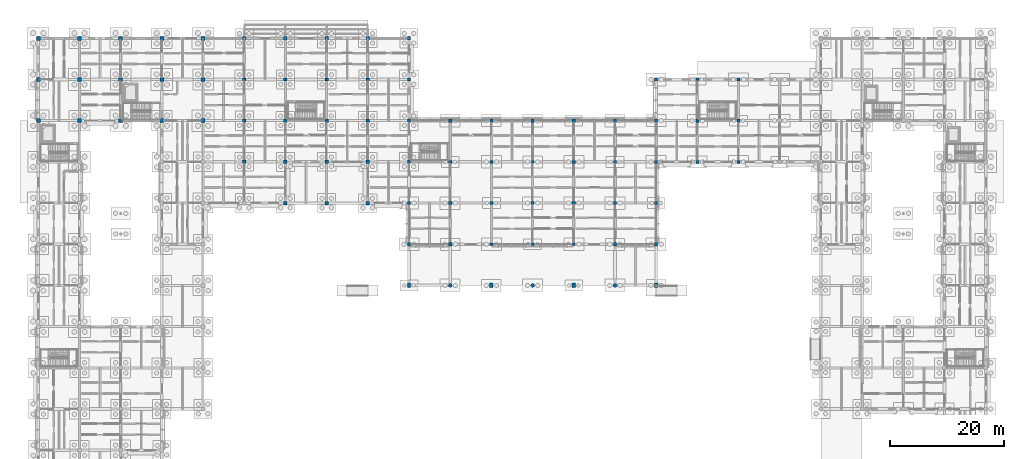
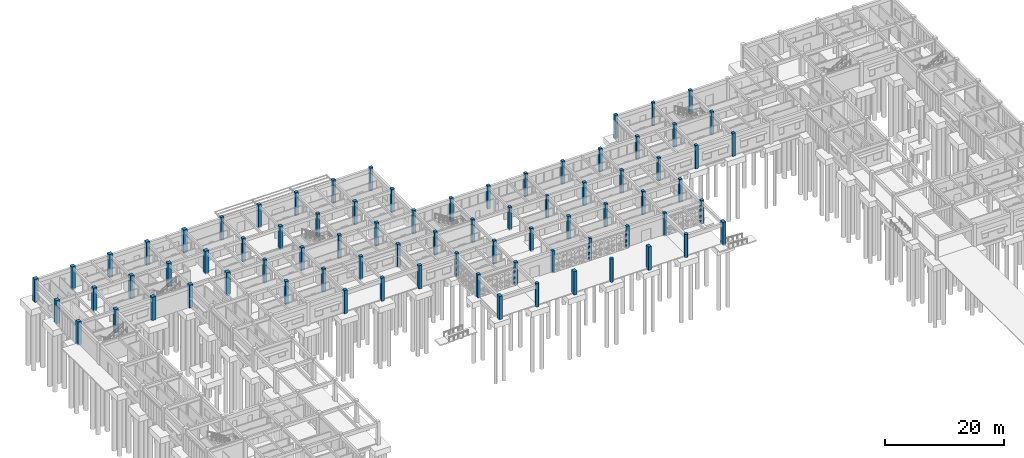
# One storey, part 9 of 111: 78 columns.
"""IFC4 building model written with IfcOpenShell, lengths in metres."""

from ifc_helpers import new_model, si_unit, direction, frame, origin, origin_2d, place, context, subcontext, project, spatial, rectangle, circle, extrude, material, material_profile, profile_set, type_object, element, save


model = new_model("IFC4")

# Units and contexts
model_context = context("Model", 3, precision=1e-05, world=origin(), true_north=direction((0.0, 1.0)))
body_context = subcontext(model_context, "Body", "Model", "MODEL_VIEW")
ifc_project = project(units=[si_unit("LENGTHUNIT", "METRE"), si_unit("AREAUNIT", "SQUARE_METRE"), si_unit("VOLUMEUNIT", "CUBIC_METRE"), si_unit("PLANEANGLEUNIT", "RADIAN"), si_unit("MASSUNIT", "GRAM", prefix="KILO")], contexts=[model_context])

# Site, building, storey
site_placement = place(None, origin())
site = spatial("IfcSite", under=ifc_project, at=site_placement, CompositionType="ELEMENT")
building_placement = place(site_placement, origin())
building = spatial("IfcBuilding", under=site, at=building_placement, Name="Aldebral Square Health Centre", CompositionType="ELEMENT")
storey_placement = place(building_placement, origin())
storey = spatial("IfcBuildingStorey", under=building, at=storey_placement, Name="L00", CompositionType="ELEMENT", Elevation=0.0)

# Columns
ifc_material = material(Name="Concrete C40/50", Category="concrete")
ifc_material_profile_1 = material_profile(ifc_material, rectangle(XDim=0.699951171875, YDim=0.699951171875, at=origin_2d()), Name="RC 700x700")
ifc_profile_set_1 = profile_set([ifc_material_profile_1], Name="Concrete C40/50")
column_type_1 = type_object("IfcColumnType", Name="COL-C1", PredefinedType="COLUMN", material=ifc_profile_set_1)
for number, where, z_axis, x_axis, name in (
    (1, (0.0, 100.800048828125, -0.25), (0.0, 0.0, 1.0), (1.0, 0.0, 0.0), "L00 column 1/15"),
    (2, (0.0, 108.0, -0.25), (0.0, 0.0, 1.0), (1.0, 0.0, 0.0), "L00 column 1/16"),
    (3, (0.0, 115.199951171875, -0.25), (0.0, 0.0, 1.0), (1.0, 0.0, 0.0), "L00 column 1/17"),
    (4, (7.199951171875, 100.800048828125, -0.25), (0.0, 0.0, 1.0), (1.0, 0.0, 0.0), "L00 column 2/15"),
    (5, (7.199951171875, 108.0, -0.25), (0.0, 0.0, 1.0), (1.0, 0.0, 0.0), "L00 column 2/16"),
    (6, (7.199951171875, 115.199951171875, -0.25), (0.0, 0.0, 1.0), (1.0, 0.0, 0.0), "L00 column 2/17"),
    (7, (14.39990234375, 100.800048828125, -0.25), (0.0, 0.0, 1.0), (1.0, 0.0, 0.0), "L00 column 3/15"),
    (8, (14.39990234375, 108.0, -0.25), (0.0, 0.0, 1.0), (1.0, 0.0, 0.0), "L00 column 3/16"),
    (9, (14.39990234375, 115.199951171875, -0.25), (0.0, 0.0, 1.0), (1.0, 0.0, 0.0), "L00 column 3/17"),
    (10, (21.60009765625, 100.800048828125, -0.25), (0.0, 0.0, 1.0), (1.0, 0.0, 0.0), "L00 column 4/15"),
    (11, (21.60009765625, 108.0, -0.25), (0.0, 0.0, 1.0), (1.0, 0.0, 0.0), "L00 column 4/16"),
    (12, (21.60009765625, 115.199951171875, -0.25), (0.0, 0.0, 1.0), (1.0, 0.0, 0.0), "L00 column 4/17"),
    (13, (28.800048828125, 100.800048828125, -0.25), (0.0, 0.0, 1.0), (1.0, 0.0, 0.0), "L00 column 5/15"),
    (14, (28.800048828125, 108.0, -0.25), (0.0, 0.0, 1.0), (1.0, 0.0, 0.0), "L00 column 5/16"),
    (15, (28.800048828125, 115.199951171875, -0.25), (0.0, 0.0, 1.0), (1.0, 0.0, 0.0), "L00 column 5/17"),
):
    element("IfcColumn", number, at=place(storey_placement, frame(where, z_axis=z_axis, x_axis=x_axis)), inside=storey, type_object=column_type_1, Name=name, PredefinedType="COLUMN", context=body_context, shape_type="SweptSolid", body=[
        extrude(rectangle(XDim=0.699951171875, YDim=0.699951171875, at=origin_2d()), origin(), (0.0, 0.0, 1.0), 4.75),
    ])
ifc_material_profile_2 = material_profile(ifc_material, rectangle(XDim=0.60009765625, YDim=0.60009765625, at=origin_2d()), Name="RC 600x600")
ifc_profile_set_2 = profile_set([ifc_material_profile_2], Name="Concrete C40/50")
column_type_2 = type_object("IfcColumnType", Name="COL-C3", PredefinedType="COLUMN", material=ifc_profile_set_2)
for number, where, z_axis, x_axis, name in (
    (16, (36.0, 93.60009765625, -0.25), (0.0, 0.0, 1.0), (1.0, 0.0, 0.0), "L00 column 6/14"),
    (17, (36.0, 100.800048828125, -0.25), (0.0, 0.0, 1.0), (1.0, 0.0, 0.0), "L00 column 6/15"),
    (18, (36.0, 108.0, -0.25), (0.0, 0.0, 1.0), (1.0, 0.0, 0.0), "L00 column 6/16"),
    (19, (36.0, 115.199951171875, -0.25), (0.0, 0.0, 1.0), (1.0, 0.0, 0.0), "L00 column 6/17"),
    (20, (43.199951171875, 86.39990234375, -0.25), (0.0, 0.0, 1.0), (1.0, 0.0, 0.0), "L00 column 7/13"),
    (21, (43.199951171875, 93.60009765625, -0.25), (0.0, 0.0, 1.0), (1.0, 0.0, 0.0), "L00 column 7/14"),
    (22, (43.199951171875, 100.800048828125, -0.25), (0.0, 0.0, 1.0), (1.0, 0.0, 0.0), "L00 column 7/15"),
    (23, (43.199951171875, 108.0, -0.25), (0.0, 0.0, 1.0), (1.0, 0.0, 0.0), "L00 column 7/16"),
    (24, (43.199951171875, 115.199951171875, -0.25), (0.0, 0.0, 1.0), (1.0, 0.0, 0.0), "L00 column 7/17"),
    (25, (50.39990234375, 86.39990234375, -0.25), (0.0, 0.0, 1.0), (1.0, 0.0, 0.0), "L00 column 8/13"),
    (26, (50.39990234375, 93.60009765625, -0.25), (0.0, 0.0, 1.0), (1.0, 0.0, 0.0), "L00 column 8/14"),
    (27, (50.39990234375, 100.800048828125, -0.25), (0.0, 0.0, 1.0), (1.0, 0.0, 0.0), "L00 column 8/15"),
    (28, (50.39990234375, 108.0, -0.25), (0.0, 0.0, 1.0), (1.0, 0.0, 0.0), "L00 column 8/16"),
    (29, (50.39990234375, 115.199951171875, -0.25), (0.0, 0.0, 1.0), (1.0, 0.0, 0.0), "L00 column 8/17"),
    (30, (57.60009765625, 86.39990234375, -0.25), (0.0, 0.0, 1.0), (1.0, 0.0, 0.0), "L00 column 9/13"),
    (31, (57.60009765625, 93.60009765625, -0.25), (0.0, 0.0, 1.0), (1.0, 0.0, 0.0), "L00 column 9/14"),
    (32, (57.60009765625, 100.800048828125, -0.25), (0.0, 0.0, 1.0), (1.0, 0.0, 0.0), "L00 column 9/15"),
    (33, (57.60009765625, 108.0, -0.25), (0.0, 0.0, 1.0), (1.0, 0.0, 0.0), "L00 column 9/16"),
    (34, (57.60009765625, 115.199951171875, -0.25), (0.0, 0.0, 1.0), (1.0, 0.0, 0.0), "L00 column 9/17"),
    (35, (64.800048828125, 93.60009765625, -0.25), (0.0, 0.0, 1.0), (1.0, 0.0, 0.0), "L00 column 10/14"),
    (36, (64.800048828125, 100.800048828125, -0.25), (0.0, 0.0, 1.0), (1.0, 0.0, 0.0), "L00 column 10/15"),
    (37, (64.800048828125, 108.0, -0.25), (0.0, 0.0, 1.0), (1.0, 0.0, 0.0), "L00 column 10/16"),
    (38, (64.800048828125, 115.199951171875, -0.25), (0.0, 0.0, 1.0), (1.0, 0.0, 0.0), "L00 column 10/17"),
):
    element("IfcColumn", number, at=place(storey_placement, frame(where, z_axis=z_axis, x_axis=x_axis)), inside=storey, type_object=column_type_2, Name=name, PredefinedType="COLUMN", context=body_context, shape_type="SweptSolid", body=[
        extrude(rectangle(XDim=0.60009765625, YDim=0.60009765625, at=origin_2d()), origin(), (0.0, 0.0, 1.0), 4.75),
    ])
ifc_material_profile_3 = material_profile(ifc_material, rectangle(XDim=0.550048828125, YDim=0.550048828125, at=origin_2d()), Name="RC 550x550")
ifc_profile_set_3 = profile_set([ifc_material_profile_3], Name="Concrete C40/50")
column_type_3 = type_object("IfcColumnType", Name="COL-C4", PredefinedType="COLUMN", material=ifc_profile_set_3)
for number, where, z_axis, x_axis, name in (
    (39, (64.800048828125, 79.199951171875, -0.25), (0.0, 0.0, 1.0), (1.0, 0.0, 0.0), "L00 column 10/12"),
    (40, (64.800048828125, 86.39990234375, -0.25), (0.0, 0.0, 1.0), (1.0, 0.0, 0.0), "L00 column 10/13"),
    (41, (72.0, 79.199951171875, -0.25), (0.0, 0.0, 1.0), (1.0, 0.0, 0.0), "L00 column 11/12"),
    (42, (72.0, 86.39990234375, -0.25), (0.0, 0.0, 1.0), (1.0, 0.0, 0.0), "L00 column 11/13"),
    (43, (72.0, 93.60009765625, -0.25), (0.0, 0.0, 1.0), (1.0, 0.0, 0.0), "L00 column 11/14"),
    (44, (72.0, 100.800048828125, -0.25), (0.0, 0.0, 1.0), (1.0, 0.0, 0.0), "L00 column 11/15"),
    (45, (79.199951171875, 86.39990234375, -0.25), (0.0, 0.0, 1.0), (1.0, 0.0, 0.0), "L00 column 12/13"),
    (46, (79.199951171875, 93.60009765625, -0.25), (0.0, 0.0, 1.0), (1.0, 0.0, 0.0), "L00 column 12/14"),
    (47, (79.199951171875, 100.800048828125, -0.25), (0.0, 0.0, 1.0), (1.0, 0.0, 0.0), "L00 column 12/15"),
    (48, (86.39990234375, 86.39990234375, -0.25), (0.0, 0.0, 1.0), (1.0, 0.0, 0.0), "L00 column 13/13"),
    (49, (86.39990234375, 100.800048828125, -0.25), (0.0, 0.0, 1.0), (1.0, 0.0, 0.0), "L00 column 13/15"),
    (50, (93.60009765625, 86.39990234375, -0.25), (0.0, 0.0, 1.0), (1.0, 0.0, 0.0), "L00 column 14/13"),
    (51, (93.60009765625, 93.60009765625, -0.25), (0.0, 0.0, 1.0), (1.0, 0.0, 0.0), "L00 column 14/14"),
    (52, (93.60009765625, 100.800048828125, -0.25), (0.0, 0.0, 1.0), (1.0, 0.0, 0.0), "L00 column 14/15"),
    (53, (100.800048828125, 79.199951171875, -0.25), (0.0, 0.0, 1.0), (1.0, 0.0, 0.0), "L00 column 15/12"),
    (54, (100.800048828125, 86.39990234375, -0.25), (0.0, 0.0, 1.0), (1.0, 0.0, 0.0), "L00 column 15/13"),
    (55, (100.800048828125, 93.60009765625, -0.25), (0.0, 0.0, 1.0), (1.0, 0.0, 0.0), "L00 column 15/14"),
    (56, (100.800048828125, 100.800048828125, -0.25), (0.0, 0.0, 1.0), (1.0, 0.0, 0.0), "L00 column 15/15"),
    (57, (108.0, 79.199951171875, -0.25), (0.0, 0.0, 1.0), (1.0, 0.0, 0.0), "L00 column 16/12"),
    (58, (108.0, 86.39990234375, -0.25), (0.0, 0.0, 1.0), (1.0, 0.0, 0.0), "L00 column 16/13"),
    (59, (108.0, 93.60009765625, -0.25), (0.0, 0.0, 1.0), (1.0, 0.0, 0.0), "L00 column 16/14"),
    (60, (108.0, 100.800048828125, -0.25), (0.0, 0.0, 1.0), (1.0, 0.0, 0.0), "L00 column 16/15"),
    (61, (108.0, 108.0, -0.25), (0.0, 0.0, 1.0), (1.0, 0.0, 0.0), "L00 column 16/16"),
    (62, (115.199951171875, 93.60009765625, -0.25), (0.0, 0.0, 1.0), (1.0, 0.0, 0.0), "L00 column 17/14"),
    (63, (115.199951171875, 100.800048828125, -0.25), (0.0, 0.0, 1.0), (1.0, 0.0, 0.0), "L00 column 17/15"),
    (64, (115.199951171875, 108.0, -0.25), (0.0, 0.0, 1.0), (1.0, 0.0, 0.0), "L00 column 17/16"),
    (65, (122.39990234375, 93.60009765625, -0.25), (0.0, 0.0, 1.0), (1.0, 0.0, 0.0), "L00 column 18/14"),
    (66, (122.39990234375, 100.800048828125, -0.25), (0.0, 0.0, 1.0), (1.0, 0.0, 0.0), "L00 column 18/15"),
    (67, (122.39990234375, 108.0, -0.25), (0.0, 0.0, 1.0), (1.0, 0.0, 0.0), "L00 column 18/16"),
):
    element("IfcColumn", number, at=place(storey_placement, frame(where, z_axis=z_axis, x_axis=x_axis)), inside=storey, type_object=column_type_3, Name=name, PredefinedType="COLUMN", context=body_context, shape_type="SweptSolid", body=[
        extrude(rectangle(XDim=0.550048828125, YDim=0.550048828125, at=origin_2d()), origin(), (0.0, 0.0, 1.0), 4.75),
    ])
ifc_material_profile_4 = material_profile(ifc_material, rectangle(XDim=0.5, YDim=0.5, at=origin_2d()), Name="RC 500x500")
ifc_profile_set_4 = profile_set([ifc_material_profile_4], Name="Concrete C40/50")
column_type_4 = type_object("IfcColumnType", Name="COL-C5", PredefinedType="COLUMN", material=ifc_profile_set_4)
for number, where, z_axis, x_axis, name in (
    (68, (79.199951171875, 79.199951171875, -0.25), (0.0, 0.0, 1.0), (1.0, 0.0, 0.0), "L00 column 12/12"),
    (69, (93.60009765625, 79.199951171875, -0.25), (0.0, 0.0, 1.0), (1.0, 0.0, 0.0), "L00 column 14/12"),
):
    element("IfcColumn", number, at=place(storey_placement, frame(where, z_axis=z_axis, x_axis=x_axis)), inside=storey, type_object=column_type_4, Name=name, PredefinedType="COLUMN", context=body_context, shape_type="SweptSolid", body=[
        extrude(rectangle(XDim=0.5, YDim=0.5, at=origin_2d()), origin(), (0.0, 0.0, 1.0), 4.530029296875),
    ])
ifc_material_profile_5 = material_profile(ifc_material, rectangle(XDim=0.449951171875, YDim=0.449951171875, at=origin_2d()), Name="RC 450x450")
ifc_profile_set_5 = profile_set([ifc_material_profile_5], Name="Concrete C40/50")
column_type_5 = type_object("IfcColumnType", Name="COL-C6", PredefinedType="COLUMN", material=ifc_profile_set_5)
for number, where, z_axis, x_axis, name in (
    (70, (86.39990234375, 79.199951171875, -0.25), (0.0, 0.0, 1.0), (1.0, 0.0, 0.0), "L00 column 13/12"),
    (71, (86.39990234375, 93.60009765625, -0.25), (0.0, 0.0, 1.0), (1.0, 0.0, 0.0), "L00 column 13/14"),
):
    element("IfcColumn", number, at=place(storey_placement, frame(where, z_axis=z_axis, x_axis=x_axis)), inside=storey, type_object=column_type_5, Name=name, PredefinedType="COLUMN", context=body_context, shape_type="SweptSolid", body=[
        extrude(rectangle(XDim=0.449951171875, YDim=0.449951171875, at=origin_2d()), origin(), (0.0, 0.0, 1.0), 4.530029296875),
    ])
ifc_material_profile_6 = material_profile(ifc_material, rectangle(XDim=0.60009765625, YDim=0.800048828125, at=origin_2d()), Name="RC 600x800")
ifc_profile_set_6 = profile_set([ifc_material_profile_6], Name="Concrete C40/50")
column_type_6 = type_object("IfcColumnType", Name="COL-C7", PredefinedType="PILASTER", material=ifc_profile_set_6)
for number, where, z_axis, x_axis, name in (
    (72, (64.800048828125, 72.0, -0.25), (0.0, 0.0, 1.0), (1.0, 0.0, 0.0), "L00 column 10/11"),
    (73, (79.199951171875, 72.0, -0.25), (0.0, 0.0, 1.0), (1.0, 0.0, 0.0), "L00 column 12/11"),
    (74, (93.60009765625, 72.0, -0.25), (0.0, 0.0, 1.0), (1.0, 0.0, 0.0), "L00 column 14/11"),
    (75, (108.0, 72.0, -0.25), (0.0, 0.0, 1.0), (1.0, 0.0, 0.0), "L00 column 16/11"),
):
    element("IfcColumn", number, at=place(storey_placement, frame(where, z_axis=z_axis, x_axis=x_axis)), inside=storey, type_object=column_type_6, Name=name, PredefinedType="PILASTER", context=body_context, shape_type="SweptSolid", body=[
        extrude(rectangle(XDim=0.60009765625, YDim=0.800048828125, at=origin_2d()), origin(), (0.0, 0.0, 1.0), 4.75),
    ])
ifc_material_profile_7 = material_profile(ifc_material, circle(Radius=0.324951171875, at=origin_2d()), Name="RC D650")
ifc_profile_set_7 = profile_set([ifc_material_profile_7], Name="Concrete C40/50")
column_type_7 = type_object("IfcColumnType", Name="COL-C8", PredefinedType="COLUMN", material=ifc_profile_set_7)
for number, where, z_axis, x_axis, name in (
    (76, (72.0, 72.0, -0.25), (0.0, 0.0, 1.0), (1.0, 0.0, 0.0), "L00 column 11/11"),
    (77, (86.39990234375, 72.0, -0.25), (0.0, 0.0, 1.0), (1.0, 0.0, 0.0), "L00 column 13/11"),
    (78, (100.800048828125, 72.0, -0.25), (0.0, 0.0, 1.0), (1.0, 0.0, 0.0), "L00 column 15/11"),
):
    element("IfcColumn", number, at=place(storey_placement, frame(where, z_axis=z_axis, x_axis=x_axis)), inside=storey, type_object=column_type_7, Name=name, PredefinedType="COLUMN", context=body_context, shape_type="SweptSolid", body=[
        extrude(circle(Radius=0.324951171875, at=origin_2d()), origin(), (0.0, 0.0, 1.0), 4.75),
    ])

save(model, "model.ifc")
